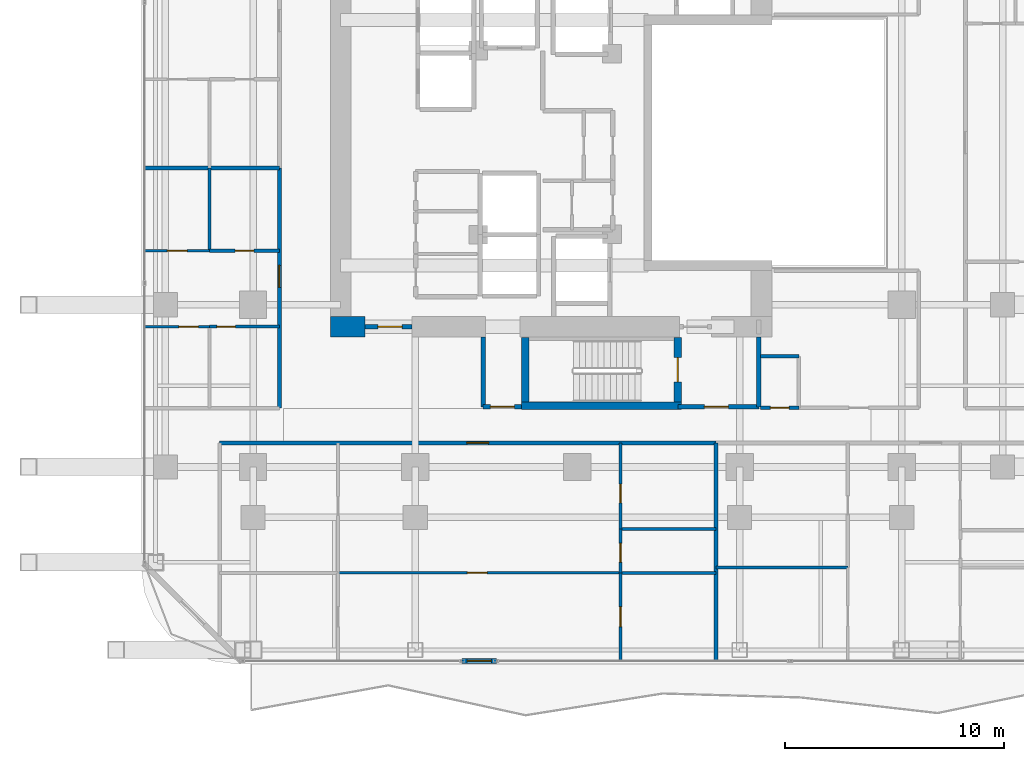
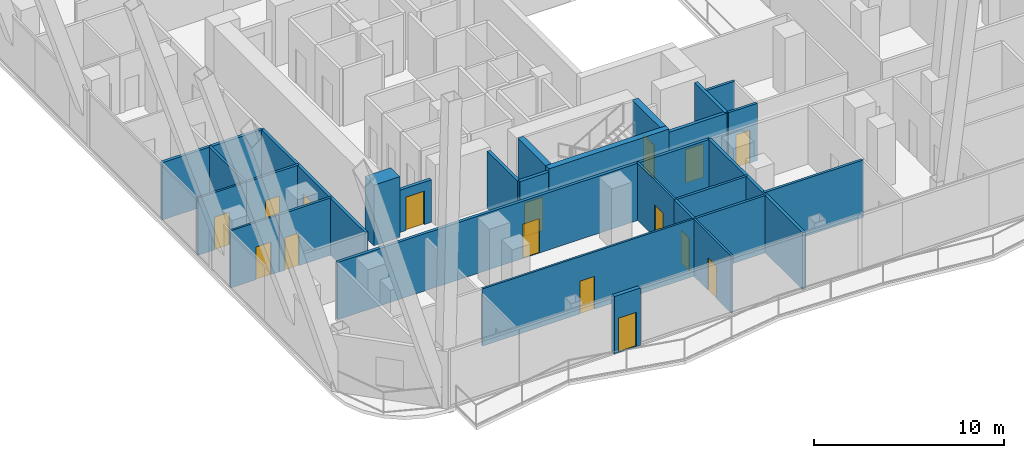
# One storey, part 24 of 32: 28 walls, 16 doors, 16 openings.
"""IFC4 building model written with IfcOpenShell, lengths in metres."""

from ifc_helpers import new_model, si_unit, direction, frame, frame_2d, origin, place, context, subcontext, project, spatial, rectangle, extrude, material, layer, layer_set, type_object, element, fill, save


model = new_model("IFC4")

# Units and contexts
model_context = context("Model", 3, precision=1e-05, world=origin(), true_north=direction((0.0, 1.0)))
body_context = subcontext(model_context, "Body", "Model", "MODEL_VIEW")
ifc_project = project(units=[si_unit("LENGTHUNIT", "METRE"), si_unit("AREAUNIT", "SQUARE_METRE"), si_unit("VOLUMEUNIT", "CUBIC_METRE"), si_unit("PLANEANGLEUNIT", "RADIAN"), si_unit("MASSUNIT", "GRAM", prefix="KILO")], contexts=[model_context])

# Site, building, storey
site_placement = place(None, origin())
site = spatial("IfcSite", under=ifc_project, at=site_placement, CompositionType="ELEMENT")
building_placement = place(site_placement, origin())
building = spatial("IfcBuilding", under=site, at=building_placement, Name="Khorvyn Point Tower", CompositionType="ELEMENT")
storey_placement = place(building_placement, frame((0.0, 0.0, 148.5)))
storey = spatial("IfcBuildingStorey", under=building, at=storey_placement, Name="L37", CompositionType="ELEMENT", Elevation=148.5)

# Wall, opening, door
ifc_material_1 = material(Name="Double acoustic gypsum on twin steel stud", Category="steel")
ifc_layer_1 = layer(ifc_material_1, 0.179931640625)
ifc_layer_set_1 = layer_set([ifc_layer_1], Name="Acoustic Double-Stud Apartment Demising Wall 180")
wall_type_1 = type_object("IfcWallType", Name="Acoustic Double-Stud Apartment Demising Wall 180", PredefinedType="PARTITIONING", material=ifc_layer_set_1)
wall_1_placement = place(storey_placement, frame((-16.320068359375, -13.699951171875, 0.0), z_axis=(0.0, 0.0, 1.0), x_axis=(1.0, 0.0, 0.0)))
wall_1 = element("IfcWall", 1, at=wall_1_placement, inside=storey, type_object=wall_type_1, Name="Wall", PredefinedType="PARTITIONING", context=body_context, shape_type="SweptSolid", body=[
    extrude(rectangle(XDim=22.64599609375, YDim=0.179931640625, at=frame_2d((11.322998046875, 0.0))), origin(), (0.0, 0.0, 1.0), 3.679931640625),
])
opening_1_placement = place(wall_1_placement, frame((11.27099609375, 0.0, 0.0)))
opening_1 = element("IfcOpeningElement", 2, at=opening_1_placement, cuts=wall_1, Name="Opening ID-AP60", PredefinedType="OPENING", context=body_context, shape_type="SweptSolid", body=[
    extrude(rectangle(XDim=1.0, YDim=2.199951171875, at=frame_2d((0.5, 1.10009765625))), frame((0.0, 0.099853515625, 0.0), z_axis=(0.0, -1.0, 0.0), x_axis=(1.0, 0.0, 0.0)), (0.0, 0.0, 1.0), 0.199951171875),
])
ifc_material_2 = material(Name="Engineered hardwood fire-rated leaf", Category="wood")
door_type_1 = type_object("IfcDoorType", Name="Acoustic Solid-Core Timber Apartment Entrance Door 1000x2200", OperationType="NOTDEFINED", PredefinedType="DOOR", material=ifc_material_2)
door_1_placement = place(opening_1_placement, origin())
door_1 = element("IfcDoor", 3, at=door_1_placement, inside=storey, type_object=door_type_1, Name="Door", OperationType="SINGLE_SWING_LEFT", OverallHeight=2.199951171875, OverallWidth=1.0, PredefinedType="DOOR", context=body_context, shape_type="SweptSolid", body=[
    extrude(rectangle(XDim=1.0, YDim=2.199951171875, at=frame_2d((0.5, 1.10009765625))), frame((0.0, 0.02490234375, 0.0), z_axis=(0.0, -1.0, 0.0), x_axis=(1.0, 0.0, 0.0)), (0.0, 0.0, 1.0), 0.050048828125),
])
fill(opening_1, door_1)

wall_2_placement = place(storey_placement, frame((-13.60009765625, -12.1201171875, 0.0), z_axis=(0.0, 0.0, 1.0), x_axis=(0.0, 1.0, 0.0)))
wall_2 = element("IfcWall", 4, at=wall_2_placement, inside=storey, type_object=wall_type_1, Name="Wall", PredefinedType="PARTITIONING", context=body_context, shape_type="SweptSolid", body=[
    extrude(rectangle(XDim=10.9560546875, YDim=0.179931640625, at=frame_2d((5.47802734375, 0.0))), origin(), (0.0, 0.0, 1.0), 3.679931640625),
])
opening_2_placement = place(wall_2_placement, frame((5.51318359375, 0.0, 0.0)))
opening_2 = element("IfcOpeningElement", 5, at=opening_2_placement, cuts=wall_2, Name="Opening ID-AP60", PredefinedType="OPENING", context=body_context, shape_type="SweptSolid", body=[
    extrude(rectangle(XDim=1.0, YDim=2.199951171875, at=frame_2d((0.5, 1.10009765625))), frame((0.0, 0.099853515625, 0.0), z_axis=(0.0, -1.0, 0.0), x_axis=(1.0, 0.0, 0.0)), (0.0, 0.0, 1.0), 0.199951171875),
])
door_2_placement = place(opening_2_placement, origin())
door_2 = element("IfcDoor", 6, at=door_2_placement, inside=storey, type_object=door_type_1, Name="Door", OperationType="SINGLE_SWING_RIGHT", OverallHeight=2.199951171875, OverallWidth=1.0, PredefinedType="DOOR", context=body_context, shape_type="SweptSolid", body=[
    extrude(rectangle(XDim=1.0, YDim=2.199951171875, at=frame_2d((0.5, 1.10009765625))), frame((0.0, 0.02490234375, 0.0), z_axis=(0.0, -1.0, 0.0), x_axis=(1.0, 0.0, 0.0)), (0.0, 0.0, 1.0), 0.050048828125),
])
fill(opening_2, door_2)

# Walls
wall_3_placement = place(storey_placement, frame((6.325927734375, -23.6298828125, 0.0), z_axis=(0.0, 0.0, 1.0), x_axis=(0.0, 1.0, 0.0)))
element("IfcWall", 7, at=wall_3_placement, inside=storey, type_object=wall_type_1, Name="Wall", PredefinedType="PARTITIONING", context=body_context, shape_type="SweptSolid", body=[
    extrude(rectangle(XDim=9.929931640625, YDim=0.179931640625, at=frame_2d((4.96484375, 0.0))), origin(), (0.0, 0.0, 1.0), 3.679931640625),
])
wall_4_placement = place(storey_placement, frame((-19.72998046875, -1.1640625, 0.0), z_axis=(0.0, 0.0, 1.0), x_axis=(1.0, 0.0, 0.0)))
element("IfcWall", 8, at=wall_4_placement, inside=storey, type_object=wall_type_1, Name="Wall", PredefinedType="PARTITIONING", context=body_context, shape_type="SweptSolid", body=[
    extrude(rectangle(XDim=6.1298828125, YDim=0.179931640625, at=frame_2d((3.06494140625, 0.0))), origin(), (0.0, 0.0, 1.0), 3.679931640625),
])

# Wall, opening, door
ifc_material_3 = material(Name="Pale anodised aluminium rainscreen on steel stud", Category="steel")
ifc_layer_2 = layer(ifc_material_3, 0.239990234375)
ifc_layer_set_2 = layer_set([ifc_layer_2], Name="Anodised Aluminium Insulated Corner Spandrel Wall 240")
wall_type_2 = type_object("IfcWallType", Name="Anodised Aluminium Insulated Corner Spandrel Wall 240", PredefinedType="SOLIDWALL", material=ifc_layer_set_2)
wall_5_placement = place(storey_placement, frame((-3.69091796875, -23.64990234375, 0.0), z_axis=(0.0, 0.0, 1.0), x_axis=(-1.0, 0.0, 0.0)))
wall_5 = element("IfcWall", 9, at=wall_5_placement, inside=storey, type_object=wall_type_2, Name="L37 South Outdoor Threshold Wall", PredefinedType="SOLIDWALL", context=body_context, shape_type="SweptSolid", body=[
    extrude(rectangle(XDim=1.580078125, YDim=0.239990234375, at=frame_2d((0.7900390625, 0.0))), origin(), (0.0, 0.0, 1.0), 3.679931640625),
])
opening_3_placement = place(wall_5_placement, frame((0.239990234375, 0.0, 0.0)))
opening_3 = element("IfcOpeningElement", 10, at=opening_3_placement, cuts=wall_5, Name="Opening BD-1122", PredefinedType="OPENING", context=body_context, shape_type="SweptSolid", body=[
    extrude(rectangle(XDim=1.10009765625, YDim=2.199951171875, at=frame_2d((0.550048828125, 1.10009765625))), frame((0.0, 0.1298828125, 0.0), z_axis=(0.0, -1.0, 0.0), x_axis=(1.0, 0.0, 0.0)), (0.0, 0.0, 1.0), 0.260009765625),
])
ifc_material_4 = material(Name="Anodised aluminium 6063-T6 and laminated Low-E glass", Category="aluminium")
door_type_2 = type_object("IfcDoorType", Name="Glazed Balcony and Terrace Threshold Door 1100x2200", OperationType="NOTDEFINED", PredefinedType="DOOR", material=ifc_material_4)
door_3_placement = place(opening_3_placement, origin())
door_3 = element("IfcDoor", 11, at=door_3_placement, inside=storey, type_object=door_type_2, Name="L37 South Glazed Balcony Outdoor Door", OperationType="SINGLE_SWING_RIGHT", OverallHeight=2.199951171875, OverallWidth=1.10009765625, PredefinedType="DOOR", context=body_context, shape_type="SweptSolid", body=[
    extrude(rectangle(XDim=1.10009765625, YDim=2.199951171875, at=frame_2d((0.550048828125, 1.10009765625))), frame((0.0, 0.02490234375, 0.0), z_axis=(0.0, -1.0, 0.0), x_axis=(1.0, 0.0, 0.0)), (0.0, 0.0, 1.0), 0.050048828125),
])
fill(opening_3, door_3)

ifc_material_5 = material(Name="Concrete C40/50", Category="concrete")
ifc_layer_3 = layer(ifc_material_5, 0.199951171875)
ifc_layer_set_3 = layer_set([ifc_layer_3], Name="Concrete C40/50 Fire-Lobby Compartment Wall 200")
wall_type_3 = type_object("IfcWallType", Name="Concrete C40/50 Fire-Lobby Compartment Wall 200", PredefinedType="SOLIDWALL", material=ifc_layer_set_3)
wall_6_placement = place(storey_placement, frame((4.580078125, -12.06005859375, 0.0), z_axis=(0.0, 0.0, 1.0), x_axis=(1.0, 0.0, 0.0)))
wall_6 = element("IfcWall", 12, at=wall_6_placement, inside=storey, type_object=wall_type_3, Name="Wall", PredefinedType="SOLIDWALL", context=body_context, shape_type="SweptSolid", body=[
    extrude(rectangle(XDim=3.699951171875, YDim=0.199951171875, at=frame_2d((1.85009765625, 0.0))), origin(), (0.0, 0.0, 1.0), 3.679931640625),
])
opening_4_placement = place(wall_6_placement, frame((1.21240234375, 0.0, 0.0)))
opening_4 = element("IfcOpeningElement", 13, at=opening_4_placement, cuts=wall_6, Name="Opening ID-FL90", PredefinedType="OPENING", context=body_context, shape_type="SweptSolid", body=[
    extrude(rectangle(XDim=1.10009765625, YDim=2.14990234375, at=frame_2d((0.550048828125, 1.074951171875))), frame((0.0, 0.10986328125, 0.0), z_axis=(0.0, -1.0, 0.0), x_axis=(1.0, 0.0, 0.0)), (0.0, 0.0, 1.0), 0.219970703125),
])
ifc_material_6 = material(Name="Galvanised powder-coated steel", Category="steel")
door_type_3 = type_object("IfcDoorType", Name="Fire-Rated Steel Lobby and Stair Door 1100x2150", OperationType="NOTDEFINED", PredefinedType="DOOR", material=ifc_material_6)
door_4_placement = place(opening_4_placement, origin())
door_4 = element("IfcDoor", 14, at=door_4_placement, inside=storey, type_object=door_type_3, Name="Door", OperationType="SINGLE_SWING_LEFT", OverallHeight=2.14990234375, OverallWidth=1.10009765625, PredefinedType="DOOR", context=body_context, shape_type="SweptSolid", body=[
    extrude(rectangle(XDim=1.10009765625, YDim=2.14990234375, at=frame_2d((0.550048828125, 1.074951171875))), frame((0.0, 0.02490234375, 0.0), z_axis=(0.0, -1.0, 0.0), x_axis=(1.0, 0.0, 0.0)), (0.0, 0.0, 1.0), 0.050048828125),
])
fill(opening_4, door_4)

wall_7_placement = place(storey_placement, frame((-9.699951171875, -8.39990234375, 0.0), z_axis=(0.0, 0.0, 1.0), x_axis=(1.0, 0.0, 0.0)))
wall_7 = element("IfcWall", 15, at=wall_7_placement, inside=storey, type_object=wall_type_3, Name="Wall", PredefinedType="SOLIDWALL", context=body_context, shape_type="SweptSolid", body=[
    extrude(rectangle(XDim=2.14990234375, YDim=0.199951171875, at=frame_2d((1.074951171875, 0.0))), origin(), (0.0, 0.0, 1.0), 2.719970703125),
])
opening_5_placement = place(wall_7_placement, frame((0.597900390625, 0.0, 0.0)))
opening_5 = element("IfcOpeningElement", 16, at=opening_5_placement, cuts=wall_7, Name="Opening ID-FL90", PredefinedType="OPENING", context=body_context, shape_type="SweptSolid", body=[
    extrude(rectangle(XDim=1.10009765625, YDim=2.14990234375, at=frame_2d((0.550048828125, 1.074951171875))), frame((0.0, 0.10986328125, 0.0), z_axis=(0.0, -1.0, 0.0), x_axis=(1.0, 0.0, 0.0)), (0.0, 0.0, 1.0), 0.219970703125),
])
door_5_placement = place(opening_5_placement, origin())
door_5 = element("IfcDoor", 17, at=door_5_placement, inside=storey, type_object=door_type_3, Name="Door", OperationType="SINGLE_SWING_RIGHT", OverallHeight=2.14990234375, OverallWidth=1.10009765625, PredefinedType="DOOR", context=body_context, shape_type="SweptSolid", body=[
    extrude(rectangle(XDim=1.10009765625, YDim=2.14990234375, at=frame_2d((0.550048828125, 1.074951171875))), frame((0.0, 0.02490234375, 0.0), z_axis=(0.0, -1.0, 0.0), x_axis=(1.0, 0.0, 0.0)), (0.0, 0.0, 1.0), 0.050048828125),
])
fill(opening_5, door_5)

wall_8_placement = place(storey_placement, frame((-4.300048828125, -12.06005859375, 0.0), z_axis=(0.0, 0.0, 1.0), x_axis=(1.0, 0.0, 0.0)))
wall_8 = element("IfcWall", 18, at=wall_8_placement, inside=storey, type_object=wall_type_3, Name="Wall", PredefinedType="SOLIDWALL", context=body_context, shape_type="SweptSolid", body=[
    extrude(rectangle(XDim=1.75, YDim=0.199951171875, at=frame_2d((0.875, 0.0))), origin(), (0.0, 0.0, 1.0), 3.679931640625),
])
opening_6_placement = place(wall_8_placement, frame((0.324951171875, 0.0, 0.0)))
opening_6 = element("IfcOpeningElement", 19, at=opening_6_placement, cuts=wall_8, Name="Opening ID-FL90", PredefinedType="OPENING", context=body_context, shape_type="SweptSolid", body=[
    extrude(rectangle(XDim=1.10009765625, YDim=2.14990234375, at=frame_2d((0.550048828125, 1.074951171875))), frame((0.0, 0.10986328125, 0.0), z_axis=(0.0, -1.0, 0.0), x_axis=(1.0, 0.0, 0.0)), (0.0, 0.0, 1.0), 0.219970703125),
])
door_6_placement = place(opening_6_placement, origin())
door_6 = element("IfcDoor", 20, at=door_6_placement, inside=storey, type_object=door_type_3, Name="Door", OperationType="SINGLE_SWING_RIGHT", OverallHeight=2.14990234375, OverallWidth=1.10009765625, PredefinedType="DOOR", context=body_context, shape_type="SweptSolid", body=[
    extrude(rectangle(XDim=1.10009765625, YDim=2.14990234375, at=frame_2d((0.550048828125, 1.074951171875))), frame((0.0, 0.02490234375, 0.0), z_axis=(0.0, -1.0, 0.0), x_axis=(1.0, 0.0, 0.0)), (0.0, 0.0, 1.0), 0.050048828125),
])
fill(opening_6, door_6)

# Walls
for number, where, z_axis, x_axis, name in (
    (21, (8.280029296875, -12.06005859375, 0.0), (0.0, 0.0, 1.0), (0.0, 1.0, 0.0), "Wall"),
    (22, (-4.300048828125, -12.06005859375, 0.0), (0.0, 0.0, 1.0), (0.0, 1.0, 0.0), "Wall"),
):
    element("IfcWall", number, at=place(storey_placement, frame(where, z_axis=z_axis, x_axis=x_axis)), inside=storey, type_object=wall_type_3, Name=name, PredefinedType="SOLIDWALL", context=body_context, shape_type="SweptSolid", body=[
        extrude(rectangle(XDim=3.18505859375, YDim=0.199951171875, at=frame_2d((1.592529296875, 0.0))), origin(), (0.0, 0.0, 1.0), 3.679931640625),
    ])
ifc_layer_4 = layer(ifc_material_5, 0.35009765625)
ifc_layer_set_4 = layer_set([ifc_layer_4], Name="Concrete C40/50 Stair Shaft Structural Wall 350")
wall_type_4 = type_object("IfcWallType", Name="Concrete C40/50 Stair Shaft Structural Wall 350", PredefinedType="SHEAR", material=ifc_layer_set_4)
wall_9_placement = place(storey_placement, frame((-2.554931640625, -12.0, 0.0), z_axis=(0.0, 0.0, 1.0), x_axis=(1.0, 0.0, 0.0)))
element("IfcWall", 23, at=wall_9_placement, inside=storey, type_object=wall_type_4, Name="L37 ST-01 South Shaft Wall", PredefinedType="SHEAR", context=body_context, shape_type="SweptSolid", body=[
    extrude(rectangle(XDim=7.309814453125, YDim=0.35009765625, at=frame_2d((3.65478515625, 0.0))), origin(), (0.0, 0.0, 1.0), 3.89990234375),
])
wall_10_placement = place(storey_placement, frame((-2.3798828125, -11.824951171875, 0.0), z_axis=(0.0, 0.0, 1.0), x_axis=(0.0, 1.0, 0.0)))
element("IfcWall", 24, at=wall_10_placement, inside=storey, type_object=wall_type_4, Name="L37 ST-01 West Shaft Wall", PredefinedType="SHEAR", context=body_context, shape_type="SweptSolid", body=[
    extrude(rectangle(XDim=2.925048828125, YDim=0.35009765625, at=frame_2d((1.46240234375, 0.0))), origin(), (0.0, 0.0, 1.0), 3.89990234375),
])

# Wall, opening, door
wall_11_placement = place(storey_placement, frame((4.580078125, -8.89990234375, 0.0), z_axis=(0.0, 0.0, 1.0), x_axis=(0.0, -1.0, 0.0)))
wall_11 = element("IfcWall", 25, at=wall_11_placement, inside=storey, type_object=wall_type_4, Name="L37 ST-01 East Landing Door Wall", PredefinedType="SHEAR", context=body_context, shape_type="SweptSolid", body=[
    extrude(rectangle(XDim=2.925048828125, YDim=0.35009765625, at=frame_2d((1.46240234375, 0.0))), origin(), (0.0, 0.0, 1.0), 3.89990234375),
])
opening_7_placement = place(wall_11_placement, frame((0.91259765625, 0.0, 0.0)))
opening_7 = element("IfcOpeningElement", 26, at=opening_7_placement, cuts=wall_11, Name="Opening ID-FL90", PredefinedType="OPENING", context=body_context, shape_type="SweptSolid", body=[
    extrude(rectangle(XDim=1.10009765625, YDim=2.14990234375, at=frame_2d((0.550048828125, 1.074951171875))), frame((0.0, 0.18505859375, 0.0), z_axis=(0.0, -1.0, 0.0), x_axis=(1.0, 0.0, 0.0)), (0.0, 0.0, 1.0), 0.3701171875),
])
door_7_placement = place(opening_7_placement, origin())
door_7 = element("IfcDoor", 27, at=door_7_placement, inside=storey, type_object=door_type_3, Name="L37 ST-01 Smokeproof Landing Door", OperationType="SINGLE_SWING_LEFT", OverallHeight=2.14990234375, OverallWidth=1.10009765625, PredefinedType="DOOR", context=body_context, shape_type="SweptSolid", body=[
    extrude(rectangle(XDim=1.10009765625, YDim=2.14990234375, at=frame_2d((0.550048828125, 1.074951171875))), frame((0.0, 0.02490234375, 0.0), z_axis=(0.0, -1.0, 0.0), x_axis=(1.0, 0.0, 0.0)), (0.0, 0.0, 1.0), 0.050048828125),
])
fill(opening_7, door_7)

# Wall
ifc_material_7 = material(Name="Concrete C50/60", Category="concrete")
ifc_layer_5 = layer(ifc_material_7, 0.949951171875)
ifc_layer_set_5 = layer_set([ifc_layer_5], Name="Concrete C50/60 Core Shear Wall 950")
wall_type_5 = type_object("IfcWallType", Name="Concrete C50/60 Core Shear Wall 950", PredefinedType="SHEAR", material=ifc_layer_set_5)
wall_12_placement = place(storey_placement, frame((-11.27490234375, -8.39990234375, 0.0), z_axis=(0.0, 0.0, 1.0), x_axis=(1.0, 0.0, 0.0)))
element("IfcWall", 28, at=wall_12_placement, inside=storey, type_object=wall_type_5, Name="Wall", PredefinedType="SHEAR", context=body_context, shape_type="SweptSolid", body=[
    extrude(rectangle(XDim=1.574951171875, YDim=0.949951171875, at=frame_2d((0.78759765625, 0.0))), origin(), (0.0, 0.0, 1.0), 3.89990234375),
])

# Wall, opening, door
ifc_material_8 = material(Name="Gypsum plasterboard on steel stud", Category="steel")
ifc_layer_6 = layer(ifc_material_8, 0.1201171875)
ifc_layer_set_6 = layer_set([ifc_layer_6], Name="Gypsum Acoustic Stud Room Partition Wall 120")
wall_type_6 = type_object("IfcWallType", Name="Gypsum Acoustic Stud Room Partition Wall 120", PredefinedType="PARTITIONING", material=ifc_layer_set_6)
wall_13_placement = place(storey_placement, frame((-10.926025390625, -19.634033203125, 0.0), z_axis=(0.0, 0.0, 1.0), x_axis=(1.0, 0.0, 0.0)))
wall_13 = element("IfcWall", 29, at=wall_13_placement, inside=storey, type_object=wall_type_6, Name="Wall", PredefinedType="PARTITIONING", context=body_context, shape_type="SweptSolid", body=[
    extrude(rectangle(XDim=12.89013671875, YDim=0.1201171875, at=frame_2d((6.445068359375, 0.0))), origin(), (0.0, 0.0, 1.0), 3.679931640625),
])
opening_8_placement = place(wall_13_placement, frame((5.9052734375, 0.0, 0.0)))
opening_8 = element("IfcOpeningElement", 30, at=opening_8_placement, cuts=wall_13, Name="Opening ID-RM90", PredefinedType="OPENING", context=body_context, shape_type="SweptSolid", body=[
    extrude(rectangle(XDim=0.89990234375, YDim=2.10009765625, at=frame_2d((0.449951171875, 1.050048828125))), frame((0.0, 0.070068359375, 0.0), z_axis=(0.0, -1.0, 0.0), x_axis=(1.0, 0.0, 0.0)), (0.0, 0.0, 1.0), 0.14013671875),
])
ifc_material_9 = material(Name="Engineered oak veneer timber", Category="wood")
door_type_4 = type_object("IfcDoorType", Name="Flush Engineered Timber Room Door 900x2100", OperationType="NOTDEFINED", PredefinedType="DOOR", material=ifc_material_9)
door_8_placement = place(opening_8_placement, origin())
door_8 = element("IfcDoor", 31, at=door_8_placement, inside=storey, type_object=door_type_4, Name="Door", OperationType="SINGLE_SWING_RIGHT", OverallHeight=2.10009765625, OverallWidth=0.89990234375, PredefinedType="DOOR", context=body_context, shape_type="SweptSolid", body=[
    extrude(rectangle(XDim=0.89990234375, YDim=2.10009765625, at=frame_2d((0.449951171875, 1.050048828125))), frame((0.0, 0.02490234375, 0.0), z_axis=(0.0, -1.0, 0.0), x_axis=(1.0, 0.0, 0.0)), (0.0, 0.0, 1.0), 0.050048828125),
])
fill(opening_8, door_8)

wall_14_placement = place(storey_placement, frame((1.964111328125, -17.6279296875, 0.0), z_axis=(0.0, 0.0, 1.0), x_axis=(0.0, 1.0, 0.0)))
wall_14 = element("IfcWall", 32, at=wall_14_placement, inside=storey, type_object=wall_type_6, Name="Wall", PredefinedType="PARTITIONING", context=body_context, shape_type="SweptSolid", body=[
    extrude(rectangle(XDim=3.927978515625, YDim=0.1201171875, at=frame_2d((1.9638671875, 0.0))), origin(), (0.0, 0.0, 1.0), 3.679931640625),
])
opening_9_placement = place(wall_14_placement, frame((1.1943359375, 0.0, 0.0)))
opening_9 = element("IfcOpeningElement", 33, at=opening_9_placement, cuts=wall_14, Name="Opening ID-WC85", PredefinedType="OPENING", context=body_context, shape_type="SweptSolid", body=[
    extrude(rectangle(XDim=0.85009765625, YDim=2.10009765625, at=frame_2d((0.425048828125, 1.050048828125))), frame((0.0, 0.070068359375, 0.0), z_axis=(0.0, -1.0, 0.0), x_axis=(1.0, 0.0, 0.0)), (0.0, 0.0, 1.0), 0.14013671875),
])
ifc_material_10 = material(Name="High-pressure laminate on moisture-resistant core", Category="wood")
door_type_5 = type_object("IfcDoorType", Name="Moisture-Resistant Accessible Washroom Door 850x2100", OperationType="NOTDEFINED", PredefinedType="DOOR", material=ifc_material_10)
door_9_placement = place(opening_9_placement, origin())
door_9 = element("IfcDoor", 34, at=door_9_placement, inside=storey, type_object=door_type_5, Name="Door", OperationType="SINGLE_SWING_RIGHT", OverallHeight=2.10009765625, OverallWidth=0.85009765625, PredefinedType="DOOR", context=body_context, shape_type="SweptSolid", body=[
    extrude(rectangle(XDim=0.85009765625, YDim=2.10009765625, at=frame_2d((0.425048828125, 1.050048828125))), frame((0.0, 0.02490234375, 0.0), z_axis=(0.0, -1.0, 0.0), x_axis=(1.0, 0.0, 0.0)), (0.0, 0.0, 1.0), 0.050048828125),
])
fill(opening_9, door_9)

wall_15_placement = place(storey_placement, frame((1.964111328125, -23.6298828125, 0.0), z_axis=(0.0, 0.0, 1.0), x_axis=(0.0, 1.0, 0.0)))
wall_15 = element("IfcWall", 35, at=wall_15_placement, inside=storey, type_object=wall_type_6, Name="Wall", PredefinedType="PARTITIONING", context=body_context, shape_type="SweptSolid", body=[
    extrude(rectangle(XDim=3.995849609375, YDim=0.1201171875, at=frame_2d((1.998046875, 0.0))), origin(), (0.0, 0.0, 1.0), 3.679931640625),
])
opening_10_placement = place(wall_15_placement, frame((1.548095703125, 0.0, 0.0)))
opening_10 = element("IfcOpeningElement", 36, at=opening_10_placement, cuts=wall_15, Name="Opening ID-RM90", PredefinedType="OPENING", context=body_context, shape_type="SweptSolid", body=[
    extrude(rectangle(XDim=0.89990234375, YDim=2.10009765625, at=frame_2d((0.449951171875, 1.050048828125))), frame((0.0, 0.070068359375, 0.0), z_axis=(0.0, -1.0, 0.0), x_axis=(1.0, 0.0, 0.0)), (0.0, 0.0, 1.0), 0.14013671875),
])
door_10_placement = place(opening_10_placement, origin())
door_10 = element("IfcDoor", 37, at=door_10_placement, inside=storey, type_object=door_type_4, Name="Door", OperationType="SINGLE_SWING_LEFT", OverallHeight=2.10009765625, OverallWidth=0.89990234375, PredefinedType="DOOR", context=body_context, shape_type="SweptSolid", body=[
    extrude(rectangle(XDim=0.89990234375, YDim=2.10009765625, at=frame_2d((0.449951171875, 1.050048828125))), frame((0.0, 0.02490234375, 0.0), z_axis=(0.0, -1.0, 0.0), x_axis=(1.0, 0.0, 0.0)), (0.0, 0.0, 1.0), 0.050048828125),
])
fill(opening_10, door_10)

wall_16_placement = place(storey_placement, frame((-19.72998046875, -8.39404296875, 0.0), z_axis=(0.0, 0.0, 1.0), x_axis=(1.0, 0.0, 0.0)))
wall_16 = element("IfcWall", 38, at=wall_16_placement, inside=storey, type_object=wall_type_6, Name="Wall", PredefinedType="PARTITIONING", context=body_context, shape_type="SweptSolid", body=[
    extrude(rectangle(XDim=2.946044921875, YDim=0.1201171875, at=frame_2d((1.47314453125, 0.0))), origin(), (0.0, 0.0, 1.0), 3.679931640625),
])
opening_11_placement = place(wall_16_placement, frame((1.540771484375, 0.0, 0.0)))
opening_11 = element("IfcOpeningElement", 39, at=opening_11_placement, cuts=wall_16, Name="Opening ID-RM90", PredefinedType="OPENING", context=body_context, shape_type="SweptSolid", body=[
    extrude(rectangle(XDim=0.89990234375, YDim=2.10009765625, at=frame_2d((0.449951171875, 1.050048828125))), frame((0.0, 0.070068359375, 0.0), z_axis=(0.0, -1.0, 0.0), x_axis=(1.0, 0.0, 0.0)), (0.0, 0.0, 1.0), 0.14013671875),
])
door_11_placement = place(opening_11_placement, origin())
door_11 = element("IfcDoor", 40, at=door_11_placement, inside=storey, type_object=door_type_4, Name="Door", OperationType="SINGLE_SWING_LEFT", OverallHeight=2.10009765625, OverallWidth=0.89990234375, PredefinedType="DOOR", context=body_context, shape_type="SweptSolid", body=[
    extrude(rectangle(XDim=0.89990234375, YDim=2.10009765625, at=frame_2d((0.449951171875, 1.050048828125))), frame((0.0, 0.02490234375, 0.0), z_axis=(0.0, -1.0, 0.0), x_axis=(1.0, 0.0, 0.0)), (0.0, 0.0, 1.0), 0.050048828125),
])
fill(opening_11, door_11)

wall_17_placement = place(storey_placement, frame((-19.72998046875, -4.93896484375, 0.0), z_axis=(0.0, 0.0, 1.0), x_axis=(1.0, 0.0, 0.0)))
wall_17 = element("IfcWall", 41, at=wall_17_placement, inside=storey, type_object=wall_type_6, Name="Wall", PredefinedType="PARTITIONING", context=body_context, shape_type="SweptSolid", body=[
    extrude(rectangle(XDim=2.946044921875, YDim=0.1201171875, at=frame_2d((1.47314453125, 0.0))), origin(), (0.0, 0.0, 1.0), 3.679931640625),
])
opening_12_placement = place(wall_17_placement, frame((1.02294921875, 0.0, 0.0)))
opening_12 = element("IfcOpeningElement", 42, at=opening_12_placement, cuts=wall_17, Name="Opening ID-RM90", PredefinedType="OPENING", context=body_context, shape_type="SweptSolid", body=[
    extrude(rectangle(XDim=0.89990234375, YDim=2.10009765625, at=frame_2d((0.449951171875, 1.050048828125))), frame((0.0, 0.070068359375, 0.0), z_axis=(0.0, -1.0, 0.0), x_axis=(1.0, 0.0, 0.0)), (0.0, 0.0, 1.0), 0.14013671875),
])
door_12_placement = place(opening_12_placement, origin())
door_12 = element("IfcDoor", 43, at=door_12_placement, inside=storey, type_object=door_type_4, Name="Door", OperationType="SINGLE_SWING_RIGHT", OverallHeight=2.10009765625, OverallWidth=0.89990234375, PredefinedType="DOOR", context=body_context, shape_type="SweptSolid", body=[
    extrude(rectangle(XDim=0.89990234375, YDim=2.10009765625, at=frame_2d((0.449951171875, 1.050048828125))), frame((0.0, 0.02490234375, 0.0), z_axis=(0.0, -1.0, 0.0), x_axis=(1.0, 0.0, 0.0)), (0.0, 0.0, 1.0), 0.050048828125),
])
fill(opening_12, door_12)

ifc_material_11 = material(Name="Moisture-resistant gypsum and cement board", Category="gypsum")
ifc_layer_7 = layer(ifc_material_11, 0.14990234375)
ifc_layer_set_7 = layer_set([ifc_layer_7], Name="Moisture-Resistant Wet-Room Partition Wall 150")
wall_type_7 = type_object("IfcWallType", Name="Moisture-Resistant Wet-Room Partition Wall 150", PredefinedType="PARTITIONING", material=ifc_layer_set_7)
wall_18_placement = place(storey_placement, frame((8.360107421875, -12.10009765625, 0.0), z_axis=(0.0, 0.0, 1.0), x_axis=(1.0, 0.0, 0.0)))
wall_18 = element("IfcWall", 44, at=wall_18_placement, inside=storey, type_object=wall_type_7, Name="Wall", PredefinedType="PARTITIONING", context=body_context, shape_type="SweptSolid", body=[
    extrude(rectangle(XDim=1.739990234375, YDim=0.14990234375, at=frame_2d((0.8701171875, 0.0))), origin(), (0.0, 0.0, 1.0), 3.679931640625),
])
opening_13_placement = place(wall_18_placement, frame((0.445068359375, 0.0, 0.0)))
opening_13 = element("IfcOpeningElement", 45, at=opening_13_placement, cuts=wall_18, Name="Opening ID-WC85", PredefinedType="OPENING", context=body_context, shape_type="SweptSolid", body=[
    extrude(rectangle(XDim=0.85009765625, YDim=2.10009765625, at=frame_2d((0.425048828125, 1.050048828125))), frame((0.0, 0.0849609375, 0.0), z_axis=(0.0, -1.0, 0.0), x_axis=(1.0, 0.0, 0.0)), (0.0, 0.0, 1.0), 0.169921875),
])
door_13_placement = place(opening_13_placement, origin())
door_13 = element("IfcDoor", 46, at=door_13_placement, inside=storey, type_object=door_type_5, Name="Door", OperationType="SINGLE_SWING_RIGHT", OverallHeight=2.10009765625, OverallWidth=0.85009765625, PredefinedType="DOOR", context=body_context, shape_type="SweptSolid", body=[
    extrude(rectangle(XDim=0.85009765625, YDim=2.10009765625, at=frame_2d((0.425048828125, 1.050048828125))), frame((0.0, 0.02490234375, 0.0), z_axis=(0.0, -1.0, 0.0), x_axis=(1.0, 0.0, 0.0)), (0.0, 0.0, 1.0), 0.050048828125),
])
fill(opening_13, door_13)

wall_19_placement = place(storey_placement, frame((1.964111328125, -19.634033203125, 0.0), z_axis=(0.0, 0.0, 1.0), x_axis=(0.0, 1.0, 0.0)))
wall_19 = element("IfcWall", 47, at=wall_19_placement, inside=storey, type_object=wall_type_7, Name="Wall", PredefinedType="PARTITIONING", context=body_context, shape_type="SweptSolid", body=[
    extrude(rectangle(XDim=2.006103515625, YDim=0.14990234375, at=frame_2d((1.0029296875, 0.0))), origin(), (0.0, 0.0, 1.0), 3.679931640625),
])
opening_14_placement = place(wall_19_placement, frame((0.494384765625, 0.0, 0.0)))
opening_14 = element("IfcOpeningElement", 48, at=opening_14_placement, cuts=wall_19, Name="Opening ID-WC85", PredefinedType="OPENING", context=body_context, shape_type="SweptSolid", body=[
    extrude(rectangle(XDim=0.85009765625, YDim=2.10009765625, at=frame_2d((0.425048828125, 1.050048828125))), frame((0.0, 0.0849609375, 0.0), z_axis=(0.0, -1.0, 0.0), x_axis=(1.0, 0.0, 0.0)), (0.0, 0.0, 1.0), 0.169921875),
])
door_14_placement = place(opening_14_placement, origin())
door_14 = element("IfcDoor", 49, at=door_14_placement, inside=storey, type_object=door_type_5, Name="Door", OperationType="SINGLE_SWING_LEFT", OverallHeight=2.10009765625, OverallWidth=0.85009765625, PredefinedType="DOOR", context=body_context, shape_type="SweptSolid", body=[
    extrude(rectangle(XDim=0.85009765625, YDim=2.10009765625, at=frame_2d((0.425048828125, 1.050048828125))), frame((0.0, 0.02490234375, 0.0), z_axis=(0.0, -1.0, 0.0), x_axis=(1.0, 0.0, 0.0)), (0.0, 0.0, 1.0), 0.050048828125),
])
fill(opening_14, door_14)

wall_20_placement = place(storey_placement, frame((-16.783935546875, -4.93896484375, 0.0), z_axis=(0.0, 0.0, 1.0), x_axis=(1.0, 0.0, 0.0)))
wall_20 = element("IfcWall", 50, at=wall_20_placement, inside=storey, type_object=wall_type_7, Name="Wall", PredefinedType="PARTITIONING", context=body_context, shape_type="SweptSolid", body=[
    extrude(rectangle(XDim=3.183837890625, YDim=0.14990234375, at=frame_2d((1.591796875, 0.0))), origin(), (0.0, 0.0, 1.0), 3.679931640625),
])
opening_15_placement = place(wall_20_placement, frame((1.1669921875, 0.0, 0.0)))
opening_15 = element("IfcOpeningElement", 51, at=opening_15_placement, cuts=wall_20, Name="Opening ID-WC85", PredefinedType="OPENING", context=body_context, shape_type="SweptSolid", body=[
    extrude(rectangle(XDim=0.85009765625, YDim=2.10009765625, at=frame_2d((0.425048828125, 1.050048828125))), frame((0.0, 0.0849609375, 0.0), z_axis=(0.0, -1.0, 0.0), x_axis=(1.0, 0.0, 0.0)), (0.0, 0.0, 1.0), 0.169921875),
])
door_15_placement = place(opening_15_placement, origin())
door_15 = element("IfcDoor", 52, at=door_15_placement, inside=storey, type_object=door_type_5, Name="Door", OperationType="SINGLE_SWING_LEFT", OverallHeight=2.10009765625, OverallWidth=0.85009765625, PredefinedType="DOOR", context=body_context, shape_type="SweptSolid", body=[
    extrude(rectangle(XDim=0.85009765625, YDim=2.10009765625, at=frame_2d((0.425048828125, 1.050048828125))), frame((0.0, 0.02490234375, 0.0), z_axis=(0.0, -1.0, 0.0), x_axis=(1.0, 0.0, 0.0)), (0.0, 0.0, 1.0), 0.050048828125),
])
fill(opening_15, door_15)

wall_21_placement = place(storey_placement, frame((-16.783935546875, -8.39404296875, 0.0), z_axis=(0.0, 0.0, 1.0), x_axis=(1.0, 0.0, 0.0)))
wall_21 = element("IfcWall", 53, at=wall_21_placement, inside=storey, type_object=wall_type_7, Name="Wall", PredefinedType="PARTITIONING", context=body_context, shape_type="SweptSolid", body=[
    extrude(rectangle(XDim=3.183837890625, YDim=0.14990234375, at=frame_2d((1.591796875, 0.0))), origin(), (0.0, 0.0, 1.0), 3.679931640625),
])
opening_16_placement = place(wall_21_placement, frame((0.327880859375, 0.0, 0.0)))
opening_16 = element("IfcOpeningElement", 54, at=opening_16_placement, cuts=wall_21, Name="Opening ID-WC85", PredefinedType="OPENING", context=body_context, shape_type="SweptSolid", body=[
    extrude(rectangle(XDim=0.85009765625, YDim=2.10009765625, at=frame_2d((0.425048828125, 1.050048828125))), frame((0.0, 0.0849609375, 0.0), z_axis=(0.0, -1.0, 0.0), x_axis=(1.0, 0.0, 0.0)), (0.0, 0.0, 1.0), 0.169921875),
])
door_16_placement = place(opening_16_placement, origin())
door_16 = element("IfcDoor", 55, at=door_16_placement, inside=storey, type_object=door_type_5, Name="Door", OperationType="SINGLE_SWING_RIGHT", OverallHeight=2.10009765625, OverallWidth=0.85009765625, PredefinedType="DOOR", context=body_context, shape_type="SweptSolid", body=[
    extrude(rectangle(XDim=0.85009765625, YDim=2.10009765625, at=frame_2d((0.425048828125, 1.050048828125))), frame((0.0, 0.02490234375, 0.0), z_axis=(0.0, -1.0, 0.0), x_axis=(1.0, 0.0, 0.0)), (0.0, 0.0, 1.0), 0.050048828125),
])
fill(opening_16, door_16)

# Walls
wall_22_placement = place(storey_placement, frame((8.360107421875, -9.75, 0.0), z_axis=(0.0, 0.0, 1.0), x_axis=(1.0, 0.0, 0.0)))
element("IfcWall", 56, at=wall_22_placement, inside=storey, type_object=wall_type_7, Name="Wall", PredefinedType="PARTITIONING", context=body_context, shape_type="SweptSolid", body=[
    extrude(rectangle(XDim=1.739990234375, YDim=0.14990234375, at=frame_2d((0.8701171875, 0.0))), origin(), (0.0, 0.0, 1.0), 3.679931640625),
])
for number, where, z_axis, x_axis, name in (
    (57, (1.964111328125, -17.6279296875, 0.0), (0.0, 0.0, 1.0), (1.0, 0.0, 0.0), "Wall"),
    (58, (1.964111328125, -19.634033203125, 0.0), (0.0, 0.0, 1.0), (1.0, 0.0, 0.0), "Wall"),
):
    element("IfcWall", number, at=place(storey_placement, frame(where, z_axis=z_axis, x_axis=x_axis)), inside=storey, type_object=wall_type_7, Name=name, PredefinedType="PARTITIONING", context=body_context, shape_type="SweptSolid", body=[
        extrude(rectangle(XDim=4.36181640625, YDim=0.14990234375, at=frame_2d((2.180908203125, 0.0))), origin(), (0.0, 0.0, 1.0), 3.679931640625),
    ])
wall_23_placement = place(storey_placement, frame((6.325927734375, -19.389892578125, 0.0), z_axis=(0.0, 0.0, 1.0), x_axis=(1.0, 0.0, 0.0)))
element("IfcWall", 59, at=wall_23_placement, inside=storey, type_object=wall_type_7, Name="Wall", PredefinedType="PARTITIONING", context=body_context, shape_type="SweptSolid", body=[
    extrude(rectangle(XDim=6.01416015625, YDim=0.14990234375, at=frame_2d((3.007080078125, 0.0))), origin(), (0.0, 0.0, 1.0), 3.679931640625),
])
wall_24_placement = place(storey_placement, frame((-16.783935546875, -4.93896484375, 0.0), z_axis=(0.0, 0.0, 1.0), x_axis=(0.0, 1.0, 0.0)))
element("IfcWall", 60, at=wall_24_placement, inside=storey, type_object=wall_type_7, Name="Wall", PredefinedType="PARTITIONING", context=body_context, shape_type="SweptSolid", body=[
    extrude(rectangle(XDim=3.77490234375, YDim=0.14990234375, at=frame_2d((1.887451171875, 0.0))), origin(), (0.0, 0.0, 1.0), 3.679931640625),
])

save(model, "model.ifc")
